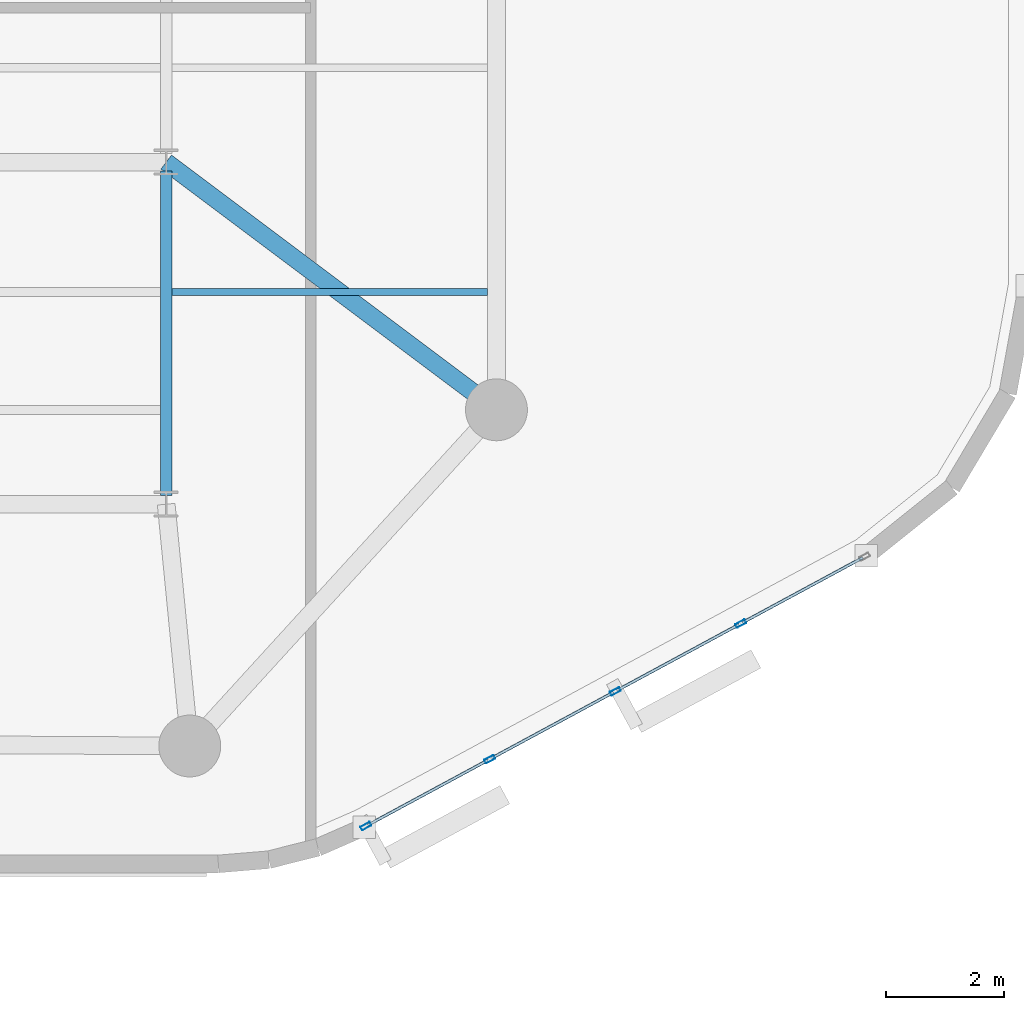
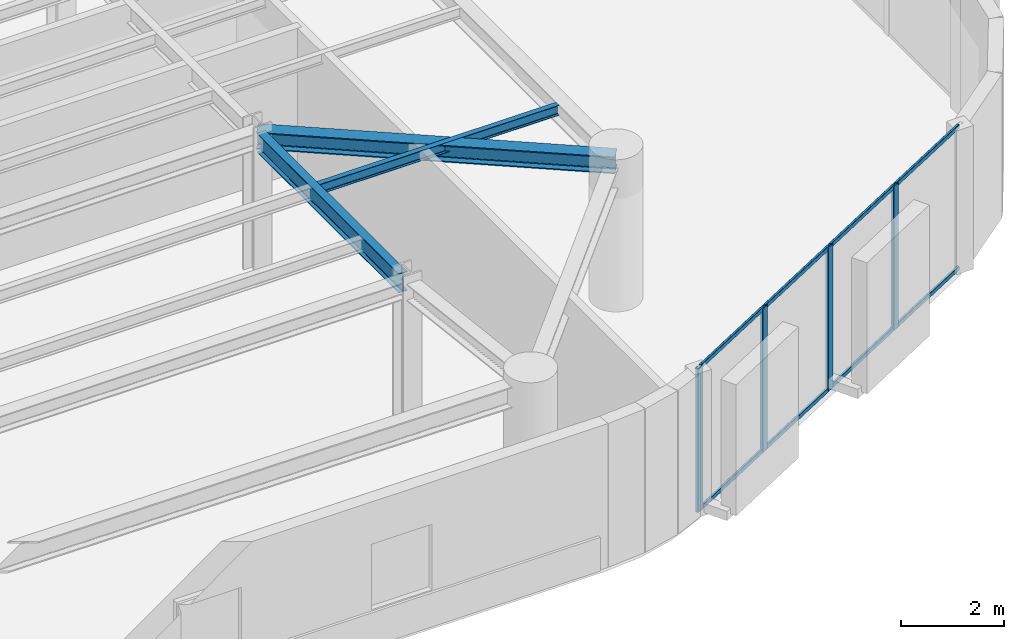
# One storey, part 2 of 13: 12 members, 3 beams, 1 element without a shape of its own.
"""IFC4 building model written with IfcOpenShell, lengths in metres."""

from ifc_helpers import new_model, si_unit, direction, frame, origin, origin_2d, place, context, subcontext, project, spatial, hollow_rectangle, i_section, extrude, material, layer, layer_set, material_profile, profile_set, type_object, element, aggregate, save


model = new_model("IFC4")

# Units and contexts
model_context = context("Model", 3, precision=1e-05, world=origin(), true_north=direction((0.0, 1.0)))
body_context = subcontext(model_context, "Body", "Model", "MODEL_VIEW")
ifc_project = project(units=[si_unit("LENGTHUNIT", "METRE"), si_unit("AREAUNIT", "SQUARE_METRE"), si_unit("VOLUMEUNIT", "CUBIC_METRE"), si_unit("PLANEANGLEUNIT", "RADIAN"), si_unit("MASSUNIT", "GRAM", prefix="KILO")], contexts=[model_context])

# Site, building, storey
site_placement = place(None, origin())
site = spatial("IfcSite", under=ifc_project, at=site_placement, CompositionType="ELEMENT")
building_placement = place(site_placement, origin())
building = spatial("IfcBuilding", under=site, at=building_placement, Name="An Khanh Terracotta Commons", CompositionType="ELEMENT")
storey_placement = place(building_placement, frame((0.0, 0.0, 237.300048828125)))
storey = spatial("IfcBuildingStorey", under=building, at=storey_placement, Name="L62", CompositionType="ELEMENT", Elevation=237.300048828125)

# Beams
ifc_material_1 = material(Name="Steel S355J2", Category="steel")
ifc_material_profile_1 = material_profile(ifc_material_1, i_section(OverallWidth=0.300048828125, OverallDepth=0.39990234375, WebThickness=0.013427734375, FlangeThickness=0.02392578125, FilletRadius=0.027099609375, at=origin_2d()), Name="HEB400")
ifc_profile_set_1 = profile_set([ifc_material_profile_1], Name="Steel S355J2")
beam_type_1 = type_object("IfcBeamType", Name="BM-HEB400", PredefinedType="BEAM", material=ifc_profile_set_1)
beam_1_placement = place(storey_placement, frame((59.60009765625, 16.0, 3.199951171875), z_axis=(-0.800008370399, 0.599988839305, 0.0), x_axis=(-0.599988839305, -0.800008370399, 0.0)))
element("IfcBeam", 1, at=beam_1_placement, inside=storey, type_object=beam_type_1, Name="L62 Mega-Column Tie Girder 3", PredefinedType="BEAM", context=body_context, shape_type="SweptSolid", body=[
    extrude(i_section(OverallWidth=0.300048828125, OverallDepth=0.39990234375, WebThickness=0.013427734375, FlangeThickness=0.02392578125, FilletRadius=0.027099609375, at=origin_2d()), origin(), (0.0, 0.0, 1.0), 7.0),
])
ifc_material_profile_2 = material_profile(ifc_material_1, i_section(OverallWidth=0.1201171875, OverallDepth=0.239990234375, WebThickness=0.006103515625, FlangeThickness=0.009765625, FilletRadius=0.014892578125, at=origin_2d()), Name="IPE240")
ifc_profile_set_2 = profile_set([ifc_material_profile_2], Name="Steel S355J2")
beam_type_2 = type_object("IfcBeamType", Name="BM-IPE240", PredefinedType="JOIST", material=ifc_profile_set_2)
beam_2_placement = place(storey_placement, frame((54.094970703125, 18.0, 3.280029296875), z_axis=(1.0, 0.0, 0.0), x_axis=(0.0, 1.0, 0.0)))
element("IfcBeam", 2, at=beam_2_placement, inside=storey, type_object=beam_type_2, Name="L62 Riverfront Composite Joist 2", PredefinedType="JOIST", context=body_context, shape_type="SweptSolid", body=[
    extrude(i_section(OverallWidth=0.1201171875, OverallDepth=0.239990234375, WebThickness=0.006103515625, FlangeThickness=0.009765625, FilletRadius=0.014892578125, at=origin_2d()), origin(), (0.0, 0.0, 1.0), 5.35498046875),
])
ifc_material_profile_3 = material_profile(ifc_material_1, i_section(OverallWidth=0.18994140625, OverallDepth=0.449951171875, WebThickness=0.009521484375, FlangeThickness=0.0146484375, FilletRadius=0.02099609375, at=origin_2d()), Name="IPE450")
ifc_profile_set_3 = profile_set([ifc_material_profile_3], Name="Steel S355J2")
beam_type_3 = type_object("IfcBeamType", Name="BM-IPE450", PredefinedType="JOIST", material=ifc_profile_set_3)
beam_3_placement = place(storey_placement, frame((54.0, 14.550048828125, 3.175048828125), z_axis=(0.0, 1.0, 0.0), x_axis=(-1.0, 0.0, 0.0)))
element("IfcBeam", 3, at=beam_3_placement, inside=storey, type_object=beam_type_3, Name="L62 East Spine Girder 1", PredefinedType="JOIST", context=body_context, shape_type="SweptSolid", body=[
    extrude(i_section(OverallWidth=0.18994140625, OverallDepth=0.449951171875, WebThickness=0.009521484375, FlangeThickness=0.0146484375, FilletRadius=0.02099609375, at=origin_2d()), origin(), (0.0, 0.0, 1.0), 5.5),
])

# Curtain wall, members
ifc_material_2 = material(Name="Anodised Aluminium 6063-T6", Category="aluminium")
ifc_layer = layer(ifc_material_2, 0.2099609375, Name="Anodised Aluminium 6063-T6")
ifc_layer_set = layer_set([ifc_layer], Name="Anodised Aluminium 6063-T6")
curtain_wall_type = type_object("IfcCurtainWallType", Name="CW-SYS-03", PredefinedType="USERDEFINED", material=ifc_layer_set)
curtain_wall_placement = place(storey_placement, origin())
curtain_wall = element("IfcCurtainWall", 4, at=curtain_wall_placement, inside=storey, type_object=curtain_wall_type, Name="L62 CW-03 Unitised Curtain Wall CW-L62-08", ObjectType="UNITISED CURTAIN WALL", PredefinedType="USERDEFINED")
ifc_material_profile_4 = material_profile(ifc_material_2, hollow_rectangle(XDim=0.070068359375, YDim=0.179931640625, WallThickness=0.00390625, InnerFilletRadius=0.00390625, OuterFilletRadius=0.008056640625, at=origin_2d()), Name="RHS180x70x4")
ifc_profile_set_4 = profile_set([ifc_material_profile_4], Name="Anodised Aluminium 6063-T6")
member_type_1 = type_object("IfcMemberType", Name="CWM-RHS180x70x4", PredefinedType="MULLION", material=ifc_profile_set_4)
member_1_placement = place(storey_placement, frame((57.3876953125, 8.941650390625, 0.0), z_axis=(0.0, 0.0, 1.0), x_axis=(-0.47538088298, 0.879780095306, 0.0)))
member_1 = element("IfcMember", 5, at=member_1_placement, type_object=member_type_1, Name="CW-03 mullion 1", PredefinedType="MULLION", context=body_context, shape_type="SweptSolid", body=[
    extrude(hollow_rectangle(XDim=0.070068359375, YDim=0.179931640625, WallThickness=0.00390625, InnerFilletRadius=0.00390625, OuterFilletRadius=0.008056640625, at=origin_2d()), origin(), (0.0, 0.0, 1.0), 3.39990234375),
])
member_2_placement = place(storey_placement, frame((59.48583984375, 10.0751953125, 0.0), z_axis=(0.0, 0.0, 1.0), x_axis=(-0.47538088298, 0.879780095306, 0.0)))
member_2 = element("IfcMember", 6, at=member_2_placement, type_object=member_type_1, Name="CW-03 mullion 2", PredefinedType="MULLION", context=body_context, shape_type="SweptSolid", body=[
    extrude(hollow_rectangle(XDim=0.070068359375, YDim=0.179931640625, WallThickness=0.00390625, InnerFilletRadius=0.00390625, OuterFilletRadius=0.008056640625, at=origin_2d()), origin(), (0.0, 0.0, 1.0), 3.39990234375),
])
member_3_placement = place(storey_placement, frame((61.614501953125, 11.2255859375, 0.0), z_axis=(0.0, 0.0, 1.0), x_axis=(-0.47538088298, 0.879780095306, 0.0)))
member_3 = element("IfcMember", 7, at=member_3_placement, type_object=member_type_1, Name="CW-03 mullion 3", PredefinedType="MULLION", context=body_context, shape_type="SweptSolid", body=[
    extrude(hollow_rectangle(XDim=0.070068359375, YDim=0.179931640625, WallThickness=0.00390625, InnerFilletRadius=0.00390625, OuterFilletRadius=0.008056640625, at=origin_2d()), origin(), (0.0, 0.0, 1.0), 3.39990234375),
])
member_4_placement = place(storey_placement, frame((63.7431640625, 12.375732421875, 0.0), z_axis=(0.0, 0.0, 1.0), x_axis=(-0.47538088298, 0.879780095306, 0.0)))
member_4 = element("IfcMember", 8, at=member_4_placement, type_object=member_type_1, Name="CW-03 mullion 4", PredefinedType="MULLION", context=body_context, shape_type="SweptSolid", body=[
    extrude(hollow_rectangle(XDim=0.070068359375, YDim=0.179931640625, WallThickness=0.00390625, InnerFilletRadius=0.00390625, OuterFilletRadius=0.008056640625, at=origin_2d()), origin(), (0.0, 0.0, 1.0), 3.39990234375),
])
ifc_material_profile_5 = material_profile(ifc_material_2, hollow_rectangle(XDim=0.050048828125, YDim=0.10009765625, WallThickness=0.003173828125, InnerFilletRadius=0.003173828125, OuterFilletRadius=0.00634765625, at=origin_2d()), Name="RHS100x50x3.2")
ifc_profile_set_5 = profile_set([ifc_material_profile_5], Name="Anodised Aluminium 6063-T6")
member_type_2 = type_object("IfcMemberType", Name="CWT-RHS100x50x3.2", PredefinedType="USERDEFINED", material=ifc_profile_set_5)
member_5_placement = place(storey_placement, frame((57.418701171875, 8.958251953125, 0.02490234375), z_axis=(0.879779245677, 0.475382455373, 0.0), x_axis=(-0.475382455373, 0.879779245677, 0.0)))
member_5 = element("IfcMember", 9, at=member_5_placement, type_object=member_type_2, Name="CW-03 transom 1.1", ObjectType="TRANSOM", PredefinedType="USERDEFINED", context=body_context, shape_type="SweptSolid", body=[
    extrude(hollow_rectangle(XDim=0.050048828125, YDim=0.10009765625, WallThickness=0.003173828125, InnerFilletRadius=0.003173828125, OuterFilletRadius=0.00634765625, at=origin_2d()), origin(), (0.0, 0.0, 1.0), 2.314697265625),
])
member_6_placement = place(storey_placement, frame((57.418701171875, 8.958251953125, 3.375), z_axis=(0.879779245677, 0.475382455373, 0.0), x_axis=(-0.475382455373, 0.879779245677, 0.0)))
member_6 = element("IfcMember", 10, at=member_6_placement, type_object=member_type_2, Name="CW-03 transom 1.2", ObjectType="TRANSOM", PredefinedType="USERDEFINED", context=body_context, shape_type="SweptSolid", body=[
    extrude(hollow_rectangle(XDim=0.050048828125, YDim=0.10009765625, WallThickness=0.003173828125, InnerFilletRadius=0.003173828125, OuterFilletRadius=0.00634765625, at=origin_2d()), origin(), (0.0, 0.0, 1.0), 2.314697265625),
])
member_7_placement = place(storey_placement, frame((59.5166015625, 10.091796875, 0.02490234375), z_axis=(0.879782861449, 0.475375763686, 0.0), x_axis=(-0.475375763686, 0.879782861449, 0.0)))
member_7 = element("IfcMember", 11, at=member_7_placement, type_object=member_type_2, Name="CW-03 transom 2.1", ObjectType="TRANSOM", PredefinedType="USERDEFINED", context=body_context, shape_type="SweptSolid", body=[
    extrude(hollow_rectangle(XDim=0.050048828125, YDim=0.10009765625, WallThickness=0.003173828125, InnerFilletRadius=0.003173828125, OuterFilletRadius=0.00634765625, at=origin_2d()), origin(), (0.0, 0.0, 1.0), 2.349609375),
])
member_8_placement = place(storey_placement, frame((59.5166015625, 10.091796875, 3.375), z_axis=(0.879782861449, 0.475375763686, 0.0), x_axis=(-0.475375763686, 0.879782861449, 0.0)))
member_8 = element("IfcMember", 12, at=member_8_placement, type_object=member_type_2, Name="CW-03 transom 2.2", ObjectType="TRANSOM", PredefinedType="USERDEFINED", context=body_context, shape_type="SweptSolid", body=[
    extrude(hollow_rectangle(XDim=0.050048828125, YDim=0.10009765625, WallThickness=0.003173828125, InnerFilletRadius=0.003173828125, OuterFilletRadius=0.00634765625, at=origin_2d()), origin(), (0.0, 0.0, 1.0), 2.349609375),
])
member_9_placement = place(storey_placement, frame((61.645263671875, 11.2421875, 0.02490234375), z_axis=(0.879782861449, 0.475375763686, 0.0), x_axis=(-0.475375763686, 0.879782861449, 0.0)))
member_9 = element("IfcMember", 13, at=member_9_placement, type_object=member_type_2, Name="CW-03 transom 3.1", ObjectType="TRANSOM", PredefinedType="USERDEFINED", context=body_context, shape_type="SweptSolid", body=[
    extrude(hollow_rectangle(XDim=0.050048828125, YDim=0.10009765625, WallThickness=0.003173828125, InnerFilletRadius=0.003173828125, OuterFilletRadius=0.00634765625, at=origin_2d()), origin(), (0.0, 0.0, 1.0), 2.349609375),
])
member_10_placement = place(storey_placement, frame((61.645263671875, 11.2421875, 3.375), z_axis=(0.879782861449, 0.475375763686, 0.0), x_axis=(-0.475375763686, 0.879782861449, 0.0)))
member_10 = element("IfcMember", 14, at=member_10_placement, type_object=member_type_2, Name="CW-03 transom 3.2", ObjectType="TRANSOM", PredefinedType="USERDEFINED", context=body_context, shape_type="SweptSolid", body=[
    extrude(hollow_rectangle(XDim=0.050048828125, YDim=0.10009765625, WallThickness=0.003173828125, InnerFilletRadius=0.003173828125, OuterFilletRadius=0.00634765625, at=origin_2d()), origin(), (0.0, 0.0, 1.0), 2.349609375),
])
member_11_placement = place(storey_placement, frame((63.77392578125, 12.392333984375, 0.02490234375), z_axis=(0.879779245677, 0.475382455373, 0.0), x_axis=(-0.475382455373, 0.879779245677, 0.0)))
member_11 = element("IfcMember", 15, at=member_11_placement, type_object=member_type_2, Name="CW-03 transom 4.1", ObjectType="TRANSOM", PredefinedType="USERDEFINED", context=body_context, shape_type="SweptSolid", body=[
    extrude(hollow_rectangle(XDim=0.050048828125, YDim=0.10009765625, WallThickness=0.003173828125, InnerFilletRadius=0.003173828125, OuterFilletRadius=0.00634765625, at=origin_2d()), origin(), (0.0, 0.0, 1.0), 2.314697265625),
])
member_12_placement = place(storey_placement, frame((63.77392578125, 12.392333984375, 3.375), z_axis=(0.879779245677, 0.475382455373, 0.0), x_axis=(-0.475382455373, 0.879779245677, 0.0)))
member_12 = element("IfcMember", 16, at=member_12_placement, type_object=member_type_2, Name="CW-03 transom 4.2", ObjectType="TRANSOM", PredefinedType="USERDEFINED", context=body_context, shape_type="SweptSolid", body=[
    extrude(hollow_rectangle(XDim=0.050048828125, YDim=0.10009765625, WallThickness=0.003173828125, InnerFilletRadius=0.003173828125, OuterFilletRadius=0.00634765625, at=origin_2d()), origin(), (0.0, 0.0, 1.0), 2.314697265625),
])
aggregate(curtain_wall, [member_1, member_2, member_3, member_4, member_5, member_6, member_7, member_8, member_9, member_10, member_11, member_12])

save(model, "model.ifc")
